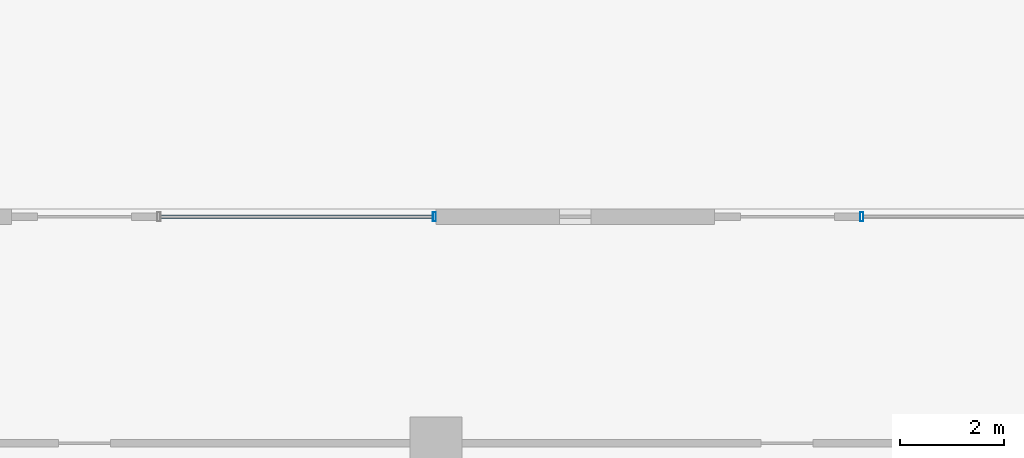
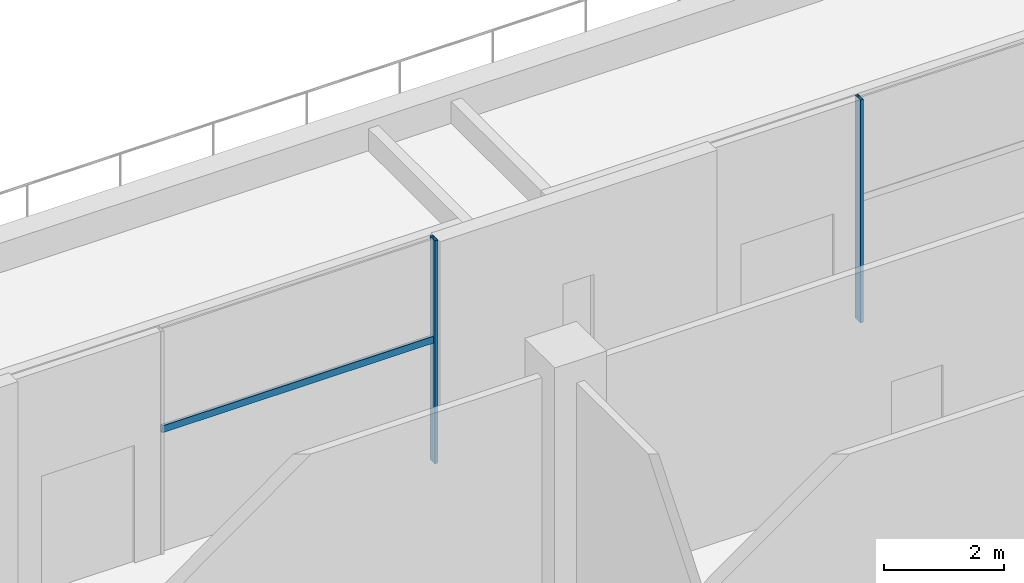
# One storey, part 19 of 49: 3 members, 2 elements without a shape of their own.
"""IFC4 building model written with IfcOpenShell, lengths in metres."""

from ifc_helpers import new_model, si_unit, direction, frame, origin, origin_2d, place, context, subcontext, project, spatial, hollow_rectangle, extrude, material, material_profile, profile_set, type_object, element, aggregate, save


model = new_model("IFC4")

# Units and contexts
model_context = context("Model", 3, precision=1e-05, world=origin(), true_north=direction((0.0, 1.0)))
body_context = subcontext(model_context, "Body", "Model", "MODEL_VIEW")
ifc_project = project(units=[si_unit("LENGTHUNIT", "METRE"), si_unit("AREAUNIT", "SQUARE_METRE"), si_unit("VOLUMEUNIT", "CUBIC_METRE"), si_unit("PLANEANGLEUNIT", "RADIAN"), si_unit("MASSUNIT", "GRAM", prefix="KILO")], contexts=[model_context])

# Site, building, storey
site_placement = place(None, origin())
site = spatial("IfcSite", under=ifc_project, at=site_placement, CompositionType="ELEMENT")
building_placement = place(site_placement, origin())
building = spatial("IfcBuilding", under=site, at=building_placement, Name="Altepetl Exchange Towers", CompositionType="ELEMENT")
storey_placement = place(building_placement, frame((0.0, 0.0, 11.5)))
storey = spatial("IfcBuildingStorey", under=building, at=storey_placement, Name="L02 Exchange podium", CompositionType="ELEMENT", Elevation=11.5)

# Curtain wall, member
ifc_material_1 = material(Name="Aluminium 6063-T6 glazing", Category="aluminium")
curtain_wall_type = type_object("IfcCurtainWallType", Name="Podium storefront system", PredefinedType="NOTDEFINED", material=ifc_material_1)
curtain_wall_1_placement = place(storey_placement, origin())
curtain_wall_1 = element("IfcCurtainWall", 1, at=curtain_wall_1_placement, inside=storey, type_object=curtain_wall_type, Name="CW5 run", PredefinedType="NOTDEFINED")
ifc_material_2 = material(Name="Aluminium 6063-T6", Category="aluminium")
ifc_material_profile_1 = material_profile(ifc_material_2, hollow_rectangle(XDim=0.06005859375, YDim=0.175048828125, WallThickness=0.0029296875, at=origin_2d()), Name="Mullion 60x175 aluminium")
ifc_profile_set_1 = profile_set([ifc_material_profile_1], Name="Aluminium 6063-T6")
member_type_1 = type_object("IfcMemberType", Name="Mullion 60x175 aluminium", PredefinedType="MULLION", material=ifc_profile_set_1)
member_1_placement = place(storey_placement, frame((57.679931640625, 80.85009765625, 0.0), z_axis=(0.0, 0.0, 1.0), x_axis=(-1.0, 0.0, 0.0)))
member_1 = element("IfcMember", 2, at=member_1_placement, type_object=member_type_1, Name="MU4 mullion", PredefinedType="MULLION", context=body_context, shape_type="SweptSolid", body=[
    extrude(hollow_rectangle(XDim=0.06005859375, YDim=0.175048828125, WallThickness=0.0029296875, at=origin_2d()), origin(), (0.0, 0.0, 1.0), 4.550048828125),
])
aggregate(curtain_wall_1, [member_1])

# Curtain wall, members
curtain_wall_2_placement = place(storey_placement, origin())
curtain_wall_2 = element("IfcCurtainWall", 3, at=curtain_wall_2_placement, inside=storey, type_object=curtain_wall_type, Name="CW5 run", PredefinedType="NOTDEFINED")
member_2_placement = place(storey_placement, frame((49.469970703125, 80.85009765625, 0.0), z_axis=(0.0, 0.0, 1.0), x_axis=(-1.0, 0.0, 0.0)))
member_2 = element("IfcMember", 4, at=member_2_placement, type_object=member_type_1, Name="MU4 mullion", PredefinedType="MULLION", context=body_context, shape_type="SweptSolid", body=[
    extrude(hollow_rectangle(XDim=0.06005859375, YDim=0.175048828125, WallThickness=0.0029296875, at=origin_2d()), origin(), (0.0, 0.0, 1.0), 4.550048828125),
])
ifc_material_profile_2 = material_profile(ifc_material_2, hollow_rectangle(XDim=0.06005859375, YDim=0.139892578125, WallThickness=0.0029296875, at=origin_2d()), Name="Transom 60x140 aluminium")
ifc_profile_set_2 = profile_set([ifc_material_profile_2], Name="Aluminium 6063-T6")
member_type_2 = type_object("IfcMemberType", Name="Transom 60x140 aluminium", PredefinedType="USERDEFINED", material=ifc_profile_set_2)
member_3_placement = place(storey_placement, frame((49.43994140625, 80.85009765625, 2.5), z_axis=(-1.0, 0.0, 0.0), x_axis=(0.0, -1.0, 0.0)))
member_3 = element("IfcMember", 5, at=member_3_placement, type_object=member_type_2, Name="TR3 transom", ObjectType="TRANSOM", PredefinedType="USERDEFINED", context=body_context, shape_type="SweptSolid", body=[
    extrude(hollow_rectangle(XDim=0.06005859375, YDim=0.139892578125, WallThickness=0.0029296875, at=origin_2d()), origin(), (0.0, 0.0, 1.0), 5.22998046875),
])
aggregate(curtain_wall_2, [member_2, member_3])

save(model, "model.ifc")
